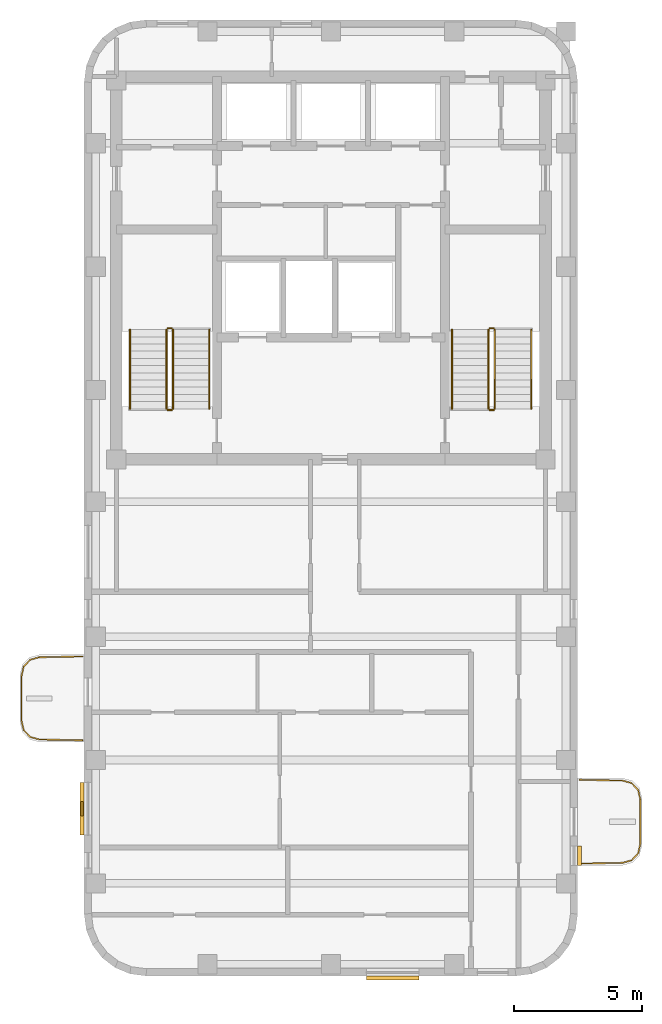
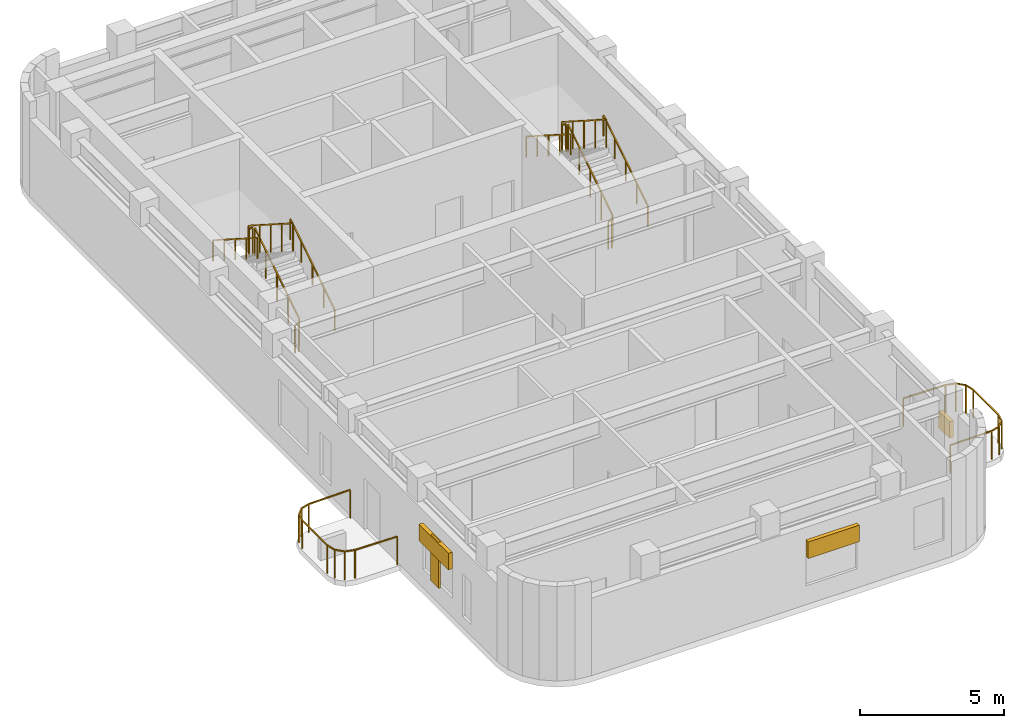
# One storey, part 5 of 5: 14 railings, 4 shading devices.
"""IFC4 building model written with IfcOpenShell, lengths in metres."""

from ifc_helpers import new_model, si_unit, direction, frame, origin, origin_2d, place, context, subcontext, project, spatial, rectangle, extrude, material, type_object, element, save


model = new_model("IFC4")

# Units and contexts
model_context = context("Model", 3, precision=1e-05, world=origin(), true_north=direction((0.0, 1.0)))
body_context = subcontext(model_context, "Body", "Model", "MODEL_VIEW")
ifc_project = project(units=[si_unit("LENGTHUNIT", "METRE"), si_unit("AREAUNIT", "SQUARE_METRE"), si_unit("VOLUMEUNIT", "CUBIC_METRE"), si_unit("PLANEANGLEUNIT", "RADIAN"), si_unit("MASSUNIT", "GRAM", prefix="KILO")], contexts=[model_context])

# Site, building, storey
site_placement = place(None, origin())
site = spatial("IfcSite", under=ifc_project, at=site_placement, CompositionType="ELEMENT")
building_placement = place(site_placement, origin())
building = spatial("IfcBuilding", under=site, at=building_placement, Name="Orvandelia Arch Residences", CompositionType="ELEMENT")
storey_placement = place(building_placement, frame((0.0, 0.0, 287.10009765625)))
storey = spatial("IfcBuildingStorey", under=building, at=storey_placement, Name="L74", CompositionType="ELEMENT", Elevation=287.10009765625)

# Railings
ifc_material_1 = material(Name="Marine-Grade Stainless Steel 316", Category="steel")
railing_type_1 = type_object("IfcRailingType", Name="GRD-BAL-1200", PredefinedType="BALUSTRADE", material=ifc_material_1)
railing_1_placement = place(storey_placement, frame((4.728271484375, 23.23046875, 0.0)))
element("IfcRailing", 1, at=railing_1_placement, inside=storey, type_object=railing_type_1, Name="Safety Balustrade Guard GRD-L74-BAL-L74-W1-1", PredefinedType="BALUSTRADE", context=body_context, shape_type="SweptSolid", body=[
    extrude(rectangle(XDim=0.048095703125, YDim=0.048095703125, at=origin_2d()), frame((0.0, 0.0, 1.19580078125), z_axis=(-0.999834751713, -0.018178813668, 0.0), x_axis=(0.018178813668, -0.999834751713, 0.0)), (0.0, 0.0, 1.0), 1.6787109375),
    extrude(rectangle(XDim=0.048095703125, YDim=0.048095703125, at=origin_2d()), frame((-1.678466796875, -0.030517578125, 1.19580078125), z_axis=(-0.96348920644, -0.267747173792, 0.0), x_axis=(0.267747173792, -0.96348920644, 0.0)), (0.0, 0.0, 1.0), 0.36572265625),
    extrude(rectangle(XDim=0.048095703125, YDim=0.048095703125, at=origin_2d()), frame((-2.03076171875, -0.12841796875, 1.19580078125), z_axis=(-0.688627404251, -0.725115368831, 0.0), x_axis=(0.725115368831, -0.688627404251, 0.0)), (0.0, 0.0, 1.0), 0.367919921875),
    extrude(rectangle(XDim=0.048095703125, YDim=0.048095703125, at=origin_2d()), frame((-2.2841796875, -0.395263671875, 1.19580078125), z_axis=(-0.220461657419, -0.975395641577, 0.0), x_axis=(0.975395641577, -0.220461657419, 0.0)), (0.0, 0.0, 1.0), 0.373291015625),
    extrude(rectangle(XDim=0.048095703125, YDim=0.048095703125, at=origin_2d()), frame((-2.366455078125, -0.75927734375, 1.19580078125), z_axis=(0.0, -1.0, 0.0), x_axis=(1.0, 0.0, 0.0)), (0.0, 0.0, 1.0), 1.742431640625),
    extrude(rectangle(XDim=0.048095703125, YDim=0.048095703125, at=origin_2d()), frame((-2.366455078125, -2.501708984375, 1.19580078125), z_axis=(0.220602419982, -0.975363815352, 0.0), x_axis=(0.975363815352, 0.220602419982, 0.0)), (0.0, 0.0, 1.0), 0.373046875),
    extrude(rectangle(XDim=0.048095703125, YDim=0.048095703125, at=origin_2d()), frame((-2.2841796875, -2.865478515625, 1.19580078125), z_axis=(0.688296224633, -0.725429739642, 0.0), x_axis=(0.725429739642, 0.688296224633, 0.0)), (0.0, 0.0, 1.0), 0.3681640625),
    extrude(rectangle(XDim=0.048095703125, YDim=0.048095703125, at=origin_2d()), frame((-2.03076171875, -3.132568359375, 1.19580078125), z_axis=(0.96348920644, -0.267747173792, 0.0), x_axis=(0.267747173792, 0.96348920644, 0.0)), (0.0, 0.0, 1.0), 0.36572265625),
    extrude(rectangle(XDim=0.048095703125, YDim=0.048095703125, at=origin_2d()), frame((-1.678466796875, -3.23046875, 1.19580078125), z_axis=(0.999834751713, -0.018178813668, 0.0), x_axis=(0.018178813668, 0.999834751713, 0.0)), (0.0, 0.0, 1.0), 1.6787109375),
    extrude(rectangle(XDim=0.0419921875, YDim=0.0419921875, at=origin_2d()), origin(), (0.0, 0.0, 1.0), 1.171875),
    extrude(rectangle(XDim=0.0419921875, YDim=0.0419921875, at=origin_2d()), frame((-1.678466796875, -0.030517578125, 0.0)), (0.0, 0.0, 1.0), 1.171875),
    extrude(rectangle(XDim=0.0419921875, YDim=0.0419921875, at=origin_2d()), frame((-2.03076171875, -0.12841796875, 0.0)), (0.0, 0.0, 1.0), 1.171875),
    extrude(rectangle(XDim=0.0419921875, YDim=0.0419921875, at=origin_2d()), frame((-2.2841796875, -0.395263671875, 0.0)), (0.0, 0.0, 1.0), 1.171875),
    extrude(rectangle(XDim=0.0419921875, YDim=0.0419921875, at=origin_2d()), frame((-2.366455078125, -0.75927734375, 0.0)), (0.0, 0.0, 1.0), 1.171875),
    extrude(rectangle(XDim=0.0419921875, YDim=0.0419921875, at=origin_2d()), frame((-2.366455078125, -2.501708984375, 0.0)), (0.0, 0.0, 1.0), 1.171875),
    extrude(rectangle(XDim=0.0419921875, YDim=0.0419921875, at=origin_2d()), frame((-2.2841796875, -2.865478515625, 0.0)), (0.0, 0.0, 1.0), 1.171875),
    extrude(rectangle(XDim=0.0419921875, YDim=0.0419921875, at=origin_2d()), frame((-2.03076171875, -3.132568359375, 0.0)), (0.0, 0.0, 1.0), 1.171875),
    extrude(rectangle(XDim=0.0419921875, YDim=0.0419921875, at=origin_2d()), frame((-1.678466796875, -3.23046875, 0.0)), (0.0, 0.0, 1.0), 1.171875),
    extrude(rectangle(XDim=0.0419921875, YDim=0.0419921875, at=origin_2d()), frame((0.0, -3.260986328125, 0.0)), (0.0, 0.0, 1.0), 1.171875),
])
railing_2_placement = place(storey_placement, frame((24.07177734375, 15.169677734375, 0.0)))
element("IfcRailing", 2, at=railing_2_placement, inside=storey, type_object=railing_type_1, Name="Safety Balustrade Guard GRD-L74-BAL-L74-W2-1", PredefinedType="BALUSTRADE", context=body_context, shape_type="SweptSolid", body=[
    extrude(rectangle(XDim=0.048095703125, YDim=0.048095703125, at=origin_2d()), frame((0.0, 0.0, 1.19580078125), z_axis=(0.999837384468, 0.018033430643, 0.0), x_axis=(-0.018033430643, 0.999837384468, 0.0)), (0.0, 0.0, 1.0), 1.6787109375),
    extrude(rectangle(XDim=0.048095703125, YDim=0.048095703125, at=origin_2d()), frame((1.678466796875, 0.0302734375, 1.19580078125), z_axis=(0.96348920644, 0.267747173792, 0.0), x_axis=(-0.267747173792, 0.96348920644, 0.0)), (0.0, 0.0, 1.0), 0.36572265625),
    extrude(rectangle(XDim=0.048095703125, YDim=0.048095703125, at=origin_2d()), frame((2.03076171875, 0.128173828125, 1.19580078125), z_axis=(0.687947031175, 0.725760898848, 0.0), x_axis=(-0.725760898848, 0.687947031175, 0.0)), (0.0, 0.0, 1.0), 0.367919921875),
    extrude(rectangle(XDim=0.048095703125, YDim=0.048095703125, at=origin_2d()), frame((2.283935546875, 0.395263671875, 1.19580078125), z_axis=(0.221225034864, 0.975222786828, 0.0), x_axis=(-0.975222786828, 0.221225034864, 0.0)), (0.0, 0.0, 1.0), 0.373046875),
    extrude(rectangle(XDim=0.048095703125, YDim=0.048095703125, at=origin_2d()), frame((2.366455078125, 0.759033203125, 1.19580078125), z_axis=(0.0, 1.0, 0.0), x_axis=(-1.0, 0.0, 0.0)), (0.0, 0.0, 1.0), 1.74267578125),
    extrude(rectangle(XDim=0.048095703125, YDim=0.048095703125, at=origin_2d()), frame((2.366455078125, 2.501708984375, 1.19580078125), z_axis=(-0.221225034864, 0.975222786828, 0.0), x_axis=(-0.975222786828, -0.221225034864, 0.0)), (0.0, 0.0, 1.0), 0.373046875),
    extrude(rectangle(XDim=0.048095703125, YDim=0.048095703125, at=origin_2d()), frame((2.283935546875, 2.865478515625, 1.19580078125), z_axis=(-0.688278345278, 0.725446703364, 0.0), x_axis=(-0.725446703364, -0.688278345278, 0.0)), (0.0, 0.0, 1.0), 0.367919921875),
    extrude(rectangle(XDim=0.048095703125, YDim=0.048095703125, at=origin_2d()), frame((2.03076171875, 3.13232421875, 1.19580078125), z_axis=(-0.96348920644, 0.267747173792, 0.0), x_axis=(-0.267747173792, -0.96348920644, 0.0)), (0.0, 0.0, 1.0), 0.36572265625),
    extrude(rectangle(XDim=0.048095703125, YDim=0.048095703125, at=origin_2d()), frame((1.678466796875, 3.230224609375, 1.19580078125), z_axis=(-0.999834751713, 0.018178813668, 0.0), x_axis=(-0.018178813668, -0.999834751713, 0.0)), (0.0, 0.0, 1.0), 1.6787109375),
    extrude(rectangle(XDim=0.0419921875, YDim=0.0419921875, at=origin_2d()), origin(), (0.0, 0.0, 1.0), 1.171875),
    extrude(rectangle(XDim=0.0419921875, YDim=0.0419921875, at=origin_2d()), frame((1.678466796875, 0.0302734375, 0.0)), (0.0, 0.0, 1.0), 1.171875),
    extrude(rectangle(XDim=0.0419921875, YDim=0.0419921875, at=origin_2d()), frame((2.03076171875, 0.128173828125, 0.0)), (0.0, 0.0, 1.0), 1.171875),
    extrude(rectangle(XDim=0.0419921875, YDim=0.0419921875, at=origin_2d()), frame((2.283935546875, 0.395263671875, 0.0)), (0.0, 0.0, 1.0), 1.171875),
    extrude(rectangle(XDim=0.0419921875, YDim=0.0419921875, at=origin_2d()), frame((2.366455078125, 0.759033203125, 0.0)), (0.0, 0.0, 1.0), 1.171875),
    extrude(rectangle(XDim=0.0419921875, YDim=0.0419921875, at=origin_2d()), frame((2.366455078125, 2.501708984375, 0.0)), (0.0, 0.0, 1.0), 1.171875),
    extrude(rectangle(XDim=0.0419921875, YDim=0.0419921875, at=origin_2d()), frame((2.283935546875, 2.865478515625, 0.0)), (0.0, 0.0, 1.0), 1.171875),
    extrude(rectangle(XDim=0.0419921875, YDim=0.0419921875, at=origin_2d()), frame((2.03076171875, 3.13232421875, 0.0)), (0.0, 0.0, 1.0), 1.171875),
    extrude(rectangle(XDim=0.0419921875, YDim=0.0419921875, at=origin_2d()), frame((1.678466796875, 3.230224609375, 0.0)), (0.0, 0.0, 1.0), 1.171875),
    extrude(rectangle(XDim=0.0419921875, YDim=0.0419921875, at=origin_2d()), frame((0.0, 3.2607421875, 0.0)), (0.0, 0.0, 1.0), 1.171875),
])
ifc_material_2 = material(Name="Brushed Stainless Steel 304", Category="steel")
railing_type_2 = type_object("IfcRailingType", Name="RL-STAIR-GD1120", PredefinedType="GUARDRAIL", material=ifc_material_2)
railing_3_placement = place(storey_placement, frame((8.25, 32.8701171875, 0.178955078125)))
element("IfcRailing", 3, at=railing_3_placement, inside=storey, type_object=railing_type_2, Name="L74 ST-1 stair guard 1", PredefinedType="GUARDRAIL", context=body_context, shape_type="SweptSolid", body=[
    extrude(rectangle(XDim=0.048095703125, YDim=0.048095703125, at=origin_2d()), frame((0.0, 0.0, 1.17578125), z_axis=(0.0, 0.842289589211, 0.539025275759), x_axis=(-1.0, 0.0, 0.0)), (0.0, 0.0, 1.0), 3.656494140625),
    extrude(rectangle(XDim=0.0419921875, YDim=0.0419921875, at=origin_2d()), origin(), (0.0, 0.0, 1.0), 1.15185546875),
    extrude(rectangle(XDim=0.0419921875, YDim=0.0419921875, at=origin_2d()), frame((0.0, 0.77001953125, 0.49267578125)), (0.0, 0.0, 1.0), 1.15185546875),
    extrude(rectangle(XDim=0.0419921875, YDim=0.0419921875, at=origin_2d()), frame((0.0, 1.5400390625, 0.9853515625)), (0.0, 0.0, 1.0), 1.15185546875),
    extrude(rectangle(XDim=0.0419921875, YDim=0.0419921875, at=origin_2d()), frame((0.0, 2.309814453125, 1.478271484375)), (0.0, 0.0, 1.0), 1.15185546875),
    extrude(rectangle(XDim=0.0419921875, YDim=0.0419921875, at=origin_2d()), frame((0.0, 3.079833984375, 1.970947265625)), (0.0, 0.0, 1.0), 1.15185546875),
])
railing_4_placement = place(storey_placement, frame((8.199951171875, 36.0, 2.14990234375)))
element("IfcRailing", 4, at=railing_4_placement, inside=storey, type_object=railing_type_2, Name="L74 ST-1 stair guard 2", PredefinedType="GUARDRAIL", context=body_context, shape_type="SweptSolid", body=[
    extrude(rectangle(XDim=0.048095703125, YDim=0.048095703125, at=origin_2d()), frame((0.0, 0.0, 1.17578125), z_axis=(-1.0, 0.0, 0.0), x_axis=(0.0, -1.0, 0.0)), (0.0, 0.0, 1.0), 0.14990234375),
    extrude(rectangle(XDim=0.0419921875, YDim=0.0419921875, at=origin_2d()), origin(), (0.0, 0.0, 1.0), 1.15185546875),
    extrude(rectangle(XDim=0.0419921875, YDim=0.0419921875, at=origin_2d()), frame((-0.14990234375, 0.0, 0.0)), (0.0, 0.0, 1.0), 1.15185546875),
])
railing_5_placement = place(storey_placement, frame((8.0, 35.949951171875, 2.3291015625)))
element("IfcRailing", 5, at=railing_5_placement, inside=storey, type_object=railing_type_2, Name="L74 ST-1 stair guard 3", PredefinedType="GUARDRAIL", context=body_context, shape_type="SweptSolid", body=[
    extrude(rectangle(XDim=0.048095703125, YDim=0.048095703125, at=origin_2d()), frame((0.0, 0.0, 1.17578125), z_axis=(0.0, -0.842319903074, 0.538977903893), x_axis=(1.0, 0.0, 0.0)), (0.0, 0.0, 1.0), 3.65625),
    extrude(rectangle(XDim=0.0419921875, YDim=0.0419921875, at=origin_2d()), origin(), (0.0, 0.0, 1.0), 1.15185546875),
    extrude(rectangle(XDim=0.0419921875, YDim=0.0419921875, at=origin_2d()), frame((0.0, -0.77001953125, 0.49267578125)), (0.0, 0.0, 1.0), 1.15185546875),
    extrude(rectangle(XDim=0.0419921875, YDim=0.0419921875, at=origin_2d()), frame((0.0, -1.5400390625, 0.9853515625)), (0.0, 0.0, 1.0), 1.15185546875),
    extrude(rectangle(XDim=0.0419921875, YDim=0.0419921875, at=origin_2d()), frame((0.0, -2.309814453125, 1.47802734375)), (0.0, 0.0, 1.0), 1.15185546875),
    extrude(rectangle(XDim=0.0419921875, YDim=0.0419921875, at=origin_2d()), frame((0.0, -3.079833984375, 1.970703125)), (0.0, 0.0, 1.0), 1.15185546875),
])
railing_6_placement = place(storey_placement, frame((8.199951171875, 32.820068359375, 0.0)))
element("IfcRailing", 6, at=railing_6_placement, inside=storey, type_object=railing_type_2, Name="L74 ST-1 stair guard 4", PredefinedType="GUARDRAIL", context=body_context, shape_type="SweptSolid", body=[
    extrude(rectangle(XDim=0.048095703125, YDim=0.048095703125, at=origin_2d()), frame((0.0, 0.0, 1.17578125), z_axis=(-1.0, 0.0, 0.0), x_axis=(0.0, -1.0, 0.0)), (0.0, 0.0, 1.0), 0.14990234375),
    extrude(rectangle(XDim=0.0419921875, YDim=0.0419921875, at=origin_2d()), origin(), (0.0, 0.0, 1.0), 1.15185546875),
    extrude(rectangle(XDim=0.0419921875, YDim=0.0419921875, at=origin_2d()), frame((-0.14990234375, 0.0, 0.0)), (0.0, 0.0, 1.0), 1.15185546875),
])
railing_7_placement = place(storey_placement, frame((20.780029296875, 32.8701171875, 0.178955078125)))
element("IfcRailing", 7, at=railing_7_placement, inside=storey, type_object=railing_type_2, Name="L74 ST-2 stair guard 1", PredefinedType="GUARDRAIL", context=body_context, shape_type="SweptSolid", body=[
    extrude(rectangle(XDim=0.048095703125, YDim=0.048095703125, at=origin_2d()), frame((0.0, 0.0, 1.17578125), z_axis=(0.0, 0.842289589211, 0.539025275759), x_axis=(-1.0, 0.0, 0.0)), (0.0, 0.0, 1.0), 3.656494140625),
    extrude(rectangle(XDim=0.0419921875, YDim=0.0419921875, at=origin_2d()), origin(), (0.0, 0.0, 1.0), 1.15185546875),
    extrude(rectangle(XDim=0.0419921875, YDim=0.0419921875, at=origin_2d()), frame((0.0, 0.77001953125, 0.49267578125)), (0.0, 0.0, 1.0), 1.15185546875),
    extrude(rectangle(XDim=0.0419921875, YDim=0.0419921875, at=origin_2d()), frame((0.0, 1.5400390625, 0.9853515625)), (0.0, 0.0, 1.0), 1.15185546875),
    extrude(rectangle(XDim=0.0419921875, YDim=0.0419921875, at=origin_2d()), frame((0.0, 2.309814453125, 1.478271484375)), (0.0, 0.0, 1.0), 1.15185546875),
    extrude(rectangle(XDim=0.0419921875, YDim=0.0419921875, at=origin_2d()), frame((0.0, 3.079833984375, 1.970947265625)), (0.0, 0.0, 1.0), 1.15185546875),
])
railing_8_placement = place(storey_placement, frame((20.72998046875, 36.0, 2.14990234375)))
element("IfcRailing", 8, at=railing_8_placement, inside=storey, type_object=railing_type_2, Name="L74 ST-2 stair guard 2", PredefinedType="GUARDRAIL", context=body_context, shape_type="SweptSolid", body=[
    extrude(rectangle(XDim=0.048095703125, YDim=0.048095703125, at=origin_2d()), frame((0.0, 0.0, 1.17578125), z_axis=(-1.0, 0.0, 0.0), x_axis=(0.0, -1.0, 0.0)), (0.0, 0.0, 1.0), 0.14990234375),
    extrude(rectangle(XDim=0.0419921875, YDim=0.0419921875, at=origin_2d()), origin(), (0.0, 0.0, 1.0), 1.15185546875),
    extrude(rectangle(XDim=0.0419921875, YDim=0.0419921875, at=origin_2d()), frame((-0.14990234375, 0.0, 0.0)), (0.0, 0.0, 1.0), 1.15185546875),
])
railing_9_placement = place(storey_placement, frame((20.530029296875, 35.949951171875, 2.3291015625)))
element("IfcRailing", 9, at=railing_9_placement, inside=storey, type_object=railing_type_2, Name="L74 ST-2 stair guard 3", PredefinedType="GUARDRAIL", context=body_context, shape_type="SweptSolid", body=[
    extrude(rectangle(XDim=0.048095703125, YDim=0.048095703125, at=origin_2d()), frame((0.0, 0.0, 1.17578125), z_axis=(0.0, -0.842319903074, 0.538977903893), x_axis=(1.0, 0.0, 0.0)), (0.0, 0.0, 1.0), 3.65625),
    extrude(rectangle(XDim=0.0419921875, YDim=0.0419921875, at=origin_2d()), origin(), (0.0, 0.0, 1.0), 1.15185546875),
    extrude(rectangle(XDim=0.0419921875, YDim=0.0419921875, at=origin_2d()), frame((0.0, -0.77001953125, 0.49267578125)), (0.0, 0.0, 1.0), 1.15185546875),
    extrude(rectangle(XDim=0.0419921875, YDim=0.0419921875, at=origin_2d()), frame((0.0, -1.5400390625, 0.9853515625)), (0.0, 0.0, 1.0), 1.15185546875),
    extrude(rectangle(XDim=0.0419921875, YDim=0.0419921875, at=origin_2d()), frame((0.0, -2.309814453125, 1.47802734375)), (0.0, 0.0, 1.0), 1.15185546875),
    extrude(rectangle(XDim=0.0419921875, YDim=0.0419921875, at=origin_2d()), frame((0.0, -3.079833984375, 1.970703125)), (0.0, 0.0, 1.0), 1.15185546875),
])
railing_10_placement = place(storey_placement, frame((20.72998046875, 32.820068359375, 0.0)))
element("IfcRailing", 10, at=railing_10_placement, inside=storey, type_object=railing_type_2, Name="L74 ST-2 stair guard 4", PredefinedType="GUARDRAIL", context=body_context, shape_type="SweptSolid", body=[
    extrude(rectangle(XDim=0.048095703125, YDim=0.048095703125, at=origin_2d()), frame((0.0, 0.0, 1.17578125), z_axis=(-1.0, 0.0, 0.0), x_axis=(0.0, -1.0, 0.0)), (0.0, 0.0, 1.0), 0.14990234375),
    extrude(rectangle(XDim=0.0419921875, YDim=0.0419921875, at=origin_2d()), origin(), (0.0, 0.0, 1.0), 1.15185546875),
    extrude(rectangle(XDim=0.0419921875, YDim=0.0419921875, at=origin_2d()), frame((-0.14990234375, 0.0, 0.0)), (0.0, 0.0, 1.0), 1.15185546875),
])
railing_type_3 = type_object("IfcRailingType", Name="RL-STAIR-HR920", PredefinedType="HANDRAIL", material=ifc_material_2)
railing_11_placement = place(storey_placement, frame((9.669921875, 32.8701171875, 0.358154296875)))
element("IfcRailing", 11, at=railing_11_placement, inside=storey, type_object=railing_type_3, Name="L74 ST-1 stair handrail 1", PredefinedType="HANDRAIL", context=body_context, shape_type="SweptSolid", body=[
    extrude(rectangle(XDim=0.048095703125, YDim=0.048095703125, at=origin_2d()), frame((0.0, 0.0, 0.8759765625), z_axis=(0.0, 0.842289589211, 0.539025275759), x_axis=(-1.0, 0.0, 0.0)), (0.0, 0.0, 1.0), 3.656494140625),
    extrude(rectangle(XDim=0.0419921875, YDim=0.0419921875, at=origin_2d()), origin(), (0.0, 0.0, 1.0), 0.851806640625),
    extrude(rectangle(XDim=0.0419921875, YDim=0.0419921875, at=origin_2d()), frame((0.0, 0.77001953125, 0.49267578125)), (0.0, 0.0, 1.0), 0.851806640625),
    extrude(rectangle(XDim=0.0419921875, YDim=0.0419921875, at=origin_2d()), frame((0.0, 1.5400390625, 0.9853515625)), (0.0, 0.0, 1.0), 0.851806640625),
    extrude(rectangle(XDim=0.0419921875, YDim=0.0419921875, at=origin_2d()), frame((0.0, 2.309814453125, 1.478271484375)), (0.0, 0.0, 1.0), 0.851806640625),
    extrude(rectangle(XDim=0.0419921875, YDim=0.0419921875, at=origin_2d()), frame((0.0, 3.079833984375, 1.970947265625)), (0.0, 0.0, 1.0), 0.851806640625),
])
railing_12_placement = place(storey_placement, frame((6.580078125, 35.949951171875, 2.50830078125)))
element("IfcRailing", 12, at=railing_12_placement, inside=storey, type_object=railing_type_3, Name="L74 ST-1 stair handrail 2", PredefinedType="HANDRAIL", context=body_context, shape_type="SweptSolid", body=[
    extrude(rectangle(XDim=0.048095703125, YDim=0.048095703125, at=origin_2d()), frame((0.0, 0.0, 0.8759765625), z_axis=(0.0, -0.842319903074, 0.538977903893), x_axis=(1.0, 0.0, 0.0)), (0.0, 0.0, 1.0), 3.65625),
    extrude(rectangle(XDim=0.0419921875, YDim=0.0419921875, at=origin_2d()), origin(), (0.0, 0.0, 1.0), 0.851806640625),
    extrude(rectangle(XDim=0.0419921875, YDim=0.0419921875, at=origin_2d()), frame((0.0, -0.77001953125, 0.49267578125)), (0.0, 0.0, 1.0), 0.851806640625),
    extrude(rectangle(XDim=0.0419921875, YDim=0.0419921875, at=origin_2d()), frame((0.0, -1.5400390625, 0.9853515625)), (0.0, 0.0, 1.0), 0.851806640625),
    extrude(rectangle(XDim=0.0419921875, YDim=0.0419921875, at=origin_2d()), frame((0.0, -2.309814453125, 1.47802734375)), (0.0, 0.0, 1.0), 0.851806640625),
    extrude(rectangle(XDim=0.0419921875, YDim=0.0419921875, at=origin_2d()), frame((0.0, -3.079833984375, 1.970703125)), (0.0, 0.0, 1.0), 0.851806640625),
])
railing_13_placement = place(storey_placement, frame((22.199951171875, 32.8701171875, 0.358154296875)))
element("IfcRailing", 13, at=railing_13_placement, inside=storey, type_object=railing_type_3, Name="L74 ST-2 stair handrail 1", PredefinedType="HANDRAIL", context=body_context, shape_type="SweptSolid", body=[
    extrude(rectangle(XDim=0.048095703125, YDim=0.048095703125, at=origin_2d()), frame((0.0, 0.0, 0.8759765625), z_axis=(0.0, 0.842289589211, 0.539025275759), x_axis=(-1.0, 0.0, 0.0)), (0.0, 0.0, 1.0), 3.656494140625),
    extrude(rectangle(XDim=0.0419921875, YDim=0.0419921875, at=origin_2d()), origin(), (0.0, 0.0, 1.0), 0.851806640625),
    extrude(rectangle(XDim=0.0419921875, YDim=0.0419921875, at=origin_2d()), frame((0.0, 0.77001953125, 0.49267578125)), (0.0, 0.0, 1.0), 0.851806640625),
    extrude(rectangle(XDim=0.0419921875, YDim=0.0419921875, at=origin_2d()), frame((0.0, 1.5400390625, 0.9853515625)), (0.0, 0.0, 1.0), 0.851806640625),
    extrude(rectangle(XDim=0.0419921875, YDim=0.0419921875, at=origin_2d()), frame((0.0, 2.309814453125, 1.478271484375)), (0.0, 0.0, 1.0), 0.851806640625),
    extrude(rectangle(XDim=0.0419921875, YDim=0.0419921875, at=origin_2d()), frame((0.0, 3.079833984375, 1.970947265625)), (0.0, 0.0, 1.0), 0.851806640625),
])
railing_14_placement = place(storey_placement, frame((19.110107421875, 35.949951171875, 2.50830078125)))
element("IfcRailing", 14, at=railing_14_placement, inside=storey, type_object=railing_type_3, Name="L74 ST-2 stair handrail 2", PredefinedType="HANDRAIL", context=body_context, shape_type="SweptSolid", body=[
    extrude(rectangle(XDim=0.048095703125, YDim=0.048095703125, at=origin_2d()), frame((0.0, 0.0, 0.8759765625), z_axis=(0.0, -0.842319903074, 0.538977903893), x_axis=(1.0, 0.0, 0.0)), (0.0, 0.0, 1.0), 3.65625),
    extrude(rectangle(XDim=0.0419921875, YDim=0.0419921875, at=origin_2d()), origin(), (0.0, 0.0, 1.0), 0.851806640625),
    extrude(rectangle(XDim=0.0419921875, YDim=0.0419921875, at=origin_2d()), frame((0.0, -0.77001953125, 0.49267578125)), (0.0, 0.0, 1.0), 0.851806640625),
    extrude(rectangle(XDim=0.0419921875, YDim=0.0419921875, at=origin_2d()), frame((0.0, -1.5400390625, 0.9853515625)), (0.0, 0.0, 1.0), 0.851806640625),
    extrude(rectangle(XDim=0.0419921875, YDim=0.0419921875, at=origin_2d()), frame((0.0, -2.309814453125, 1.47802734375)), (0.0, 0.0, 1.0), 0.851806640625),
    extrude(rectangle(XDim=0.0419921875, YDim=0.0419921875, at=origin_2d()), frame((0.0, -3.079833984375, 1.970703125)), (0.0, 0.0, 1.0), 0.851806640625),
])

# Shading devices
ifc_material_3 = material(Name="Anodised Champagne-Bronze Extruded Aluminium", Category="aluminium")
shading_device_type_1 = type_object("IfcShadingDeviceType", Name="SHD-JALOUSIE-SCREEN", PredefinedType="JALOUSIE", material=ifc_material_3)
shading_device_1_placement = place(storey_placement, frame((24.080078125, 15.472412109375, 1.5498046875), z_axis=(0.0, 0.0, 1.0), x_axis=(0.0, -1.0, 0.0)))
element("IfcShadingDevice", 15, at=shading_device_1_placement, inside=storey, type_object=shading_device_type_1, Name="Bronze Jalousie Sun-Shade L74-001", PredefinedType="JALOUSIE", context=body_context, shape_type="SweptSolid", body=[
    extrude(rectangle(XDim=0.75, YDim=0.159912109375, at=origin_2d()), origin(), (0.0, 0.0, 1.0), 0.699951171875),
])
for number, where, z_axis, x_axis, name in (
    (16, (16.800048828125, 10.719970703125, 2.0498046875), (0.0, 0.0, 1.0), (-1.0, 0.0, 0.0), "Bronze Jalousie Sun-Shade L74-002"),
    (17, (4.719970703125, 17.302490234375, 2.0498046875), (0.0, 0.0, 1.0), (0.0, 1.0, 0.0), "Bronze Jalousie Sun-Shade L74-003"),
):
    element("IfcShadingDevice", number, at=place(storey_placement, frame(where, z_axis=z_axis, x_axis=x_axis)), inside=storey, type_object=shading_device_type_1, Name=name, PredefinedType="JALOUSIE", context=body_context, shape_type="SweptSolid", body=[
        extrude(rectangle(XDim=2.050048828125, YDim=0.159912109375, at=origin_2d()), origin(), (0.0, 0.0, 1.0), 0.699951171875),
    ])
ifc_material_4 = material(Name="Marine-Grade Perforated Aluminium Storm Shutter", Category="aluminium")
shading_device_type_2 = type_object("IfcShadingDeviceType", Name="SHD-STORM-SHUTTER", PredefinedType="SHUTTER", material=ifc_material_4)
shading_device_2_placement = place(storey_placement, frame((4.719970703125, 17.302490234375, 0.7998046875), z_axis=(0.0, 0.0, 1.0), x_axis=(0.0, 1.0, 0.0)))
element("IfcShadingDevice", 18, at=shading_device_2_placement, inside=storey, type_object=shading_device_type_2, Name="Operable Typhoon Storm Shutter L74-003", PredefinedType="SHUTTER", context=body_context, shape_type="SweptSolid", body=[
    extrude(rectangle(XDim=0.550048828125, YDim=0.080078125, at=origin_2d()), origin(), (0.0, 0.0, 1.0), 1.949951171875),
])

save(model, "model.ifc")
